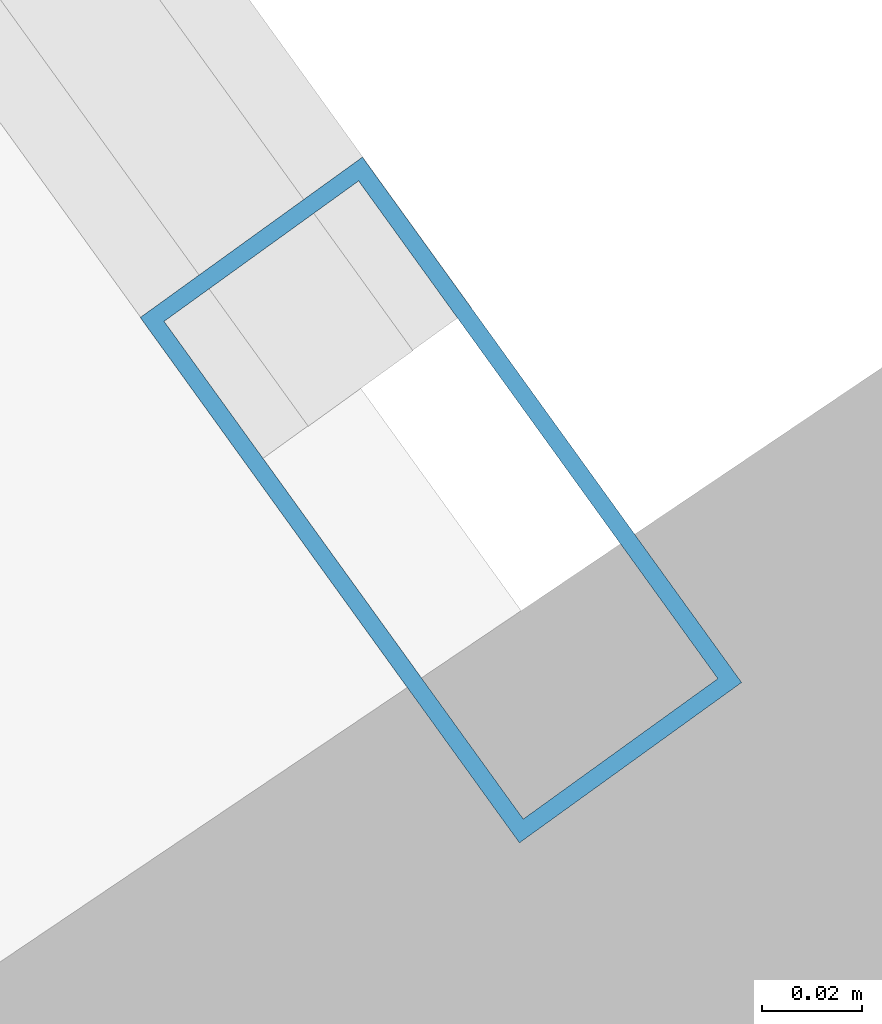
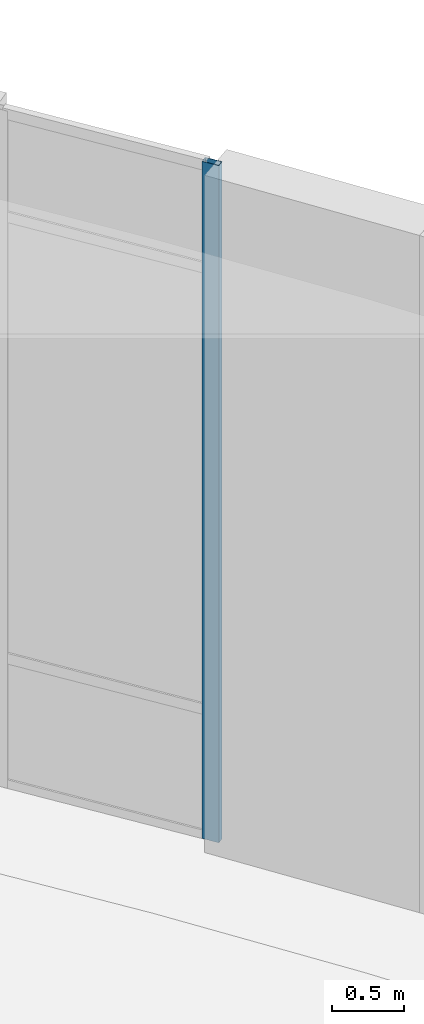
# One storey, part 34 of 85: 1 member, 1 element without a shape of its own.
"""IFC4 building model written with IfcOpenShell, lengths in metres."""

from ifc_helpers import new_model, si_unit, direction, frame, origin, origin_2d, place, context, subcontext, project, spatial, hollow_rectangle, extrude, material, layer, layer_set, material_profile, profile_set, type_object, element, aggregate, save


model = new_model("IFC4")

# Units and contexts
model_context = context("Model", 3, precision=1e-05, world=origin(), true_north=direction((0.0, 1.0)))
body_context = subcontext(model_context, "Body", "Model", "MODEL_VIEW")
ifc_project = project(units=[si_unit("LENGTHUNIT", "METRE"), si_unit("AREAUNIT", "SQUARE_METRE"), si_unit("VOLUMEUNIT", "CUBIC_METRE"), si_unit("PLANEANGLEUNIT", "RADIAN"), si_unit("MASSUNIT", "GRAM", prefix="KILO"), si_unit("THERMODYNAMICTEMPERATUREUNIT", "KELVIN")], contexts=[model_context])

# Site, building, storey
site_placement = place(None, origin())
site = spatial("IfcSite", under=ifc_project, at=site_placement, CompositionType="ELEMENT")
building_placement = place(site_placement, origin())
building = spatial("IfcBuilding", under=site, at=building_placement, Name="Lustrewick Department Store", CompositionType="ELEMENT")
storey_placement = place(building_placement, origin())
storey = spatial("IfcBuildingStorey", under=building, at=storey_placement, Name="L01", CompositionType="ELEMENT", Elevation=0.0)

# Curtain wall, member
ifc_material = material(Name="Thermally broken aluminium 6063-T5", Category="aluminium")
ifc_layer = layer(ifc_material, 0.1298828125, Name="Thermally broken aluminium 6063-T5")
ifc_layer_set = layer_set([ifc_layer], Name="Thermally broken aluminium 6063-T5")
curtain_wall_type = type_object("IfcCurtainWallType", Name="CW07", PredefinedType="NOTDEFINED", material=ifc_layer_set)
curtain_wall_placement = place(storey_placement, origin())
curtain_wall = element("IfcCurtainWall", 1, at=curtain_wall_placement, inside=storey, type_object=curtain_wall_type, Name="L01 V4 Curtain Wall CW07", PredefinedType="NOTDEFINED")
ifc_material_profile = material_profile(ifc_material, hollow_rectangle(XDim=0.054931640625, YDim=0.1298828125, WallThickness=0.00341796875, at=origin_2d()), Name="ALU-M 55x130x3.5")
ifc_profile_set = profile_set([ifc_material_profile], Name="Thermally broken aluminium 6063-T5")
member_type = type_object("IfcMemberType", Name="CW07-M1", PredefinedType="MULLION", material=ifc_profile_set)
member_placement = place(storey_placement, frame((158.6328125, 89.372314453125, 0.0), z_axis=(0.0, 0.0, 1.0), x_axis=(-0.810865859237, -0.585232055106, 0.0)))
member = element("IfcMember", 2, at=member_placement, type_object=member_type, Name="CW07 mullion 1", PredefinedType="MULLION", context=body_context, shape_type="SweptSolid", body=[
    extrude(hollow_rectangle(XDim=0.054931640625, YDim=0.1298828125, WallThickness=0.00341796875, at=origin_2d()), origin(), (0.0, 0.0, 1.0), 5.7451171875),
])
aggregate(curtain_wall, [member])

save(model, "model.ifc")
